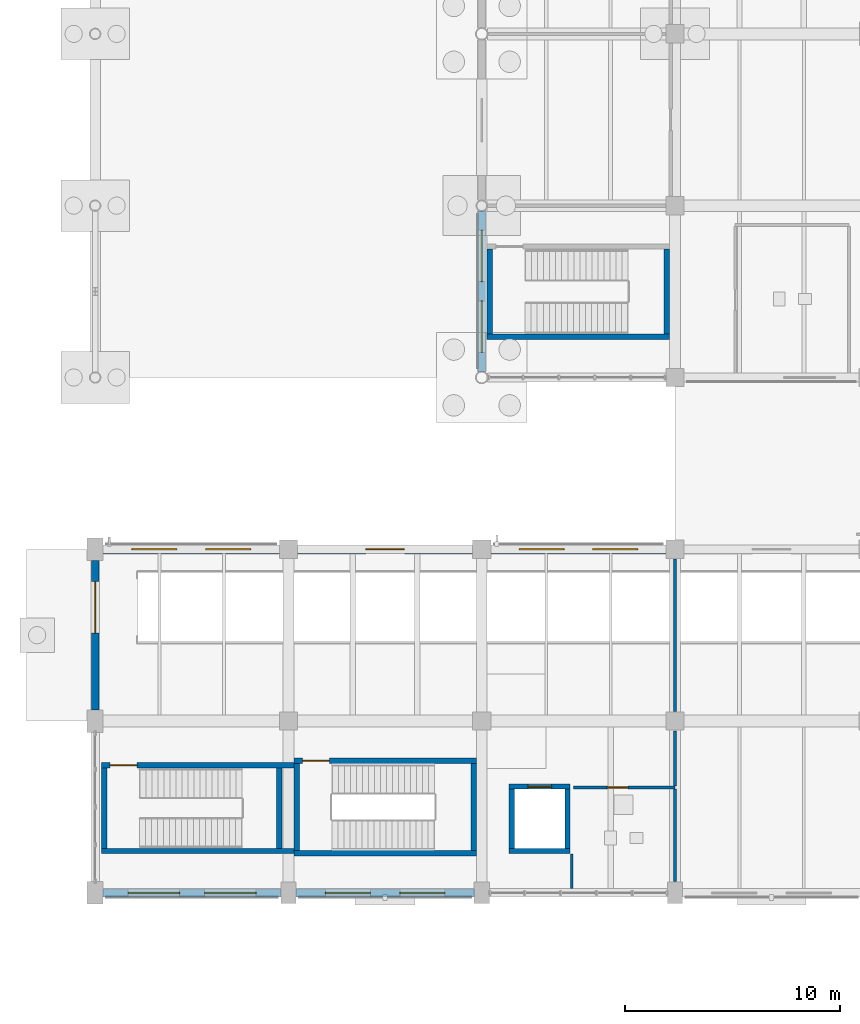
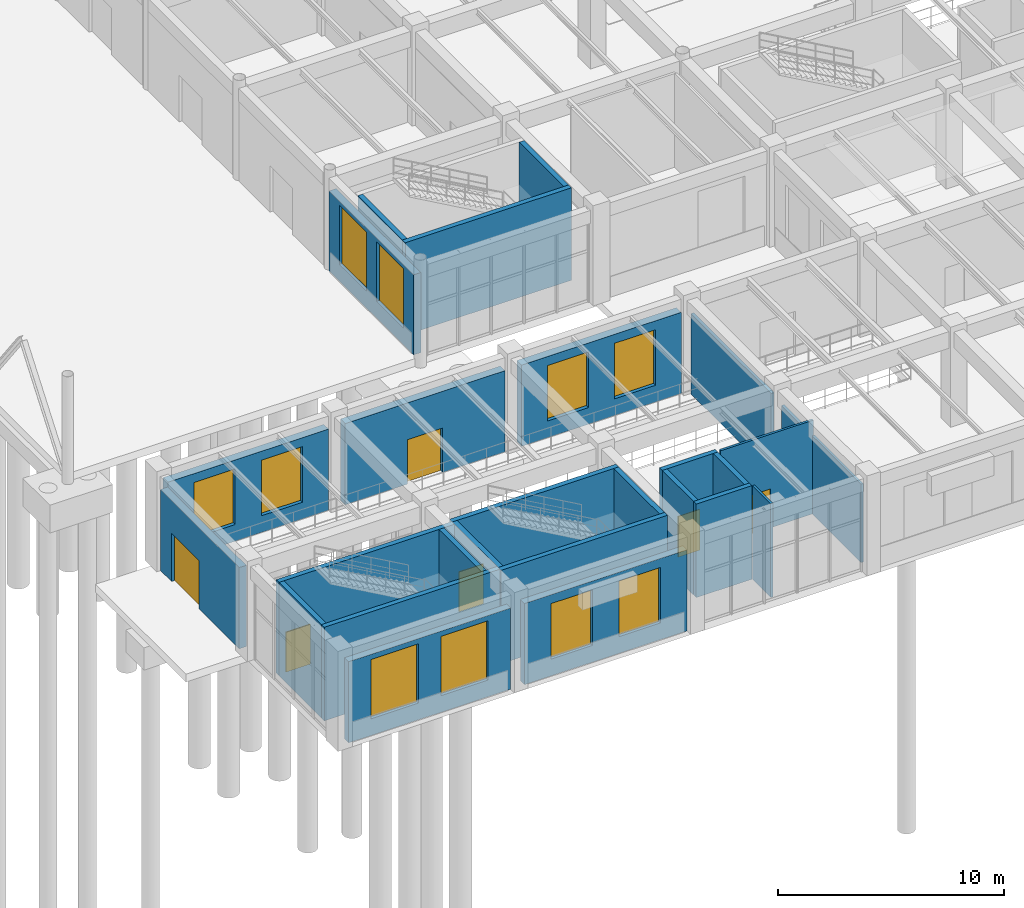
# One storey, part 88 of 121: 27 walls, 10 windows, 6 doors, 16 openings.
"""IFC4 building model written with IfcOpenShell, lengths in metres."""

from ifc_helpers import new_model, si_unit, derived_unit, direction, frame, frame_2d, origin, place, context, subcontext, project, spatial, rectangle, extrude, material, layer, layer_set, type_object, element, fill, save


model = new_model("IFC4")

# Units and contexts
model_context = context("Model", 3, precision=1e-05, world=origin(), true_north=direction((0.0, 1.0)))
body_context = subcontext(model_context, "Body", "Model", "MODEL_VIEW")
ifc_project = project(units=[si_unit("LENGTHUNIT", "METRE"), si_unit("AREAUNIT", "SQUARE_METRE"), si_unit("VOLUMEUNIT", "CUBIC_METRE"), si_unit("PLANEANGLEUNIT", "RADIAN"), si_unit("MASSUNIT", "GRAM", prefix="KILO"), derived_unit("THERMALTRANSMITTANCEUNIT", [(si_unit("MASSUNIT", "GRAM", prefix="KILO"), 1), (si_unit("TIMEUNIT", "SECOND"), -3), (si_unit("THERMODYNAMICTEMPERATUREUNIT", "KELVIN"), -1)])], contexts=[model_context])

# Site, building, storey
site_placement = place(None, origin())
site = spatial("IfcSite", under=ifc_project, at=site_placement, CompositionType="ELEMENT")
building_placement = place(site_placement, origin())
building = spatial("IfcBuilding", under=site, at=building_placement, Name="Zhenchuan Archway Interchange", CompositionType="ELEMENT")
storey_placement = place(building_placement, origin())
storey = spatial("IfcBuildingStorey", under=building, at=storey_placement, Name="L00", CompositionType="ELEMENT", Elevation=0.0)

# Wall, openings, windows
ifc_material_1 = material(Name="Granite Stone Cladding", Category="masonry")
ifc_layer_1 = layer(ifc_material_1, 0.419921875)
ifc_layer_set_1 = layer_set([ifc_layer_1], Name="Granite Stone Cladding")
wall_type_1 = type_object("IfcWallType", Name="EW_GRANITE_420", PredefinedType="STANDARD", material=ifc_layer_set_1)
wall_1_placement = place(storey_placement, frame((0.373046875, 16.0, 0.0), z_axis=(0.0, 0.0, 1.0), x_axis=(1.0, 0.0, 0.0)))
wall_1 = element("IfcWall", 1, at=wall_1_placement, inside=storey, type_object=wall_type_1, Name="Exterior wall L00-053", PredefinedType="STANDARD", context=body_context, shape_type="SweptSolid", body=[
    extrude(rectangle(XDim=8.203857421875, YDim=0.419921875, at=frame_2d((4.10205078125, 0.0))), origin(), (0.0, 0.0, 1.0), 4.3798828125),
])
opening_1_placement = place(wall_1_placement, frame((1.334716796875, 0.0, 0.89990234375)))
opening_1 = element("IfcOpeningElement", 2, at=opening_1_placement, cuts=wall_1, Name="Opening W-02", PredefinedType="OPENING", context=body_context, shape_type="SweptSolid", body=[
    extrude(rectangle(XDim=2.10009765625, YDim=3.0, at=frame_2d((1.050048828125, 1.5))), frame((0.0, 0.221923828125, 0.0), z_axis=(0.0, -1.0, 0.0), x_axis=(1.0, 0.0, 0.0)), (0.0, 0.0, 1.0), 0.44384765625),
])
opening_2_placement = place(wall_1_placement, frame((4.769287109375, 0.0, 0.89990234375)))
opening_2 = element("IfcOpeningElement", 3, at=opening_2_placement, cuts=wall_1, Name="Opening W-02", PredefinedType="OPENING", context=body_context, shape_type="SweptSolid", body=[
    extrude(rectangle(XDim=2.10009765625, YDim=3.0, at=frame_2d((1.050048828125, 1.5))), frame((0.0, 0.221923828125, 0.0), z_axis=(0.0, -1.0, 0.0), x_axis=(1.0, 0.0, 0.0)), (0.0, 0.0, 1.0), 0.44384765625),
])
ifc_material_2 = material(Name="Double Low-E Insulated Glazing", Category="glass")
window_type_1 = type_object("IfcWindowType", Name="WN_ARCH_2100x3000", PartitioningType="SINGLE_PANEL", PredefinedType="WINDOW", material=ifc_material_2)
window_1_placement = place(opening_1_placement, origin())
window_1 = element("IfcWindow", 4, at=window_1_placement, inside=storey, type_object=window_type_1, Name="Window L00-0037", OverallHeight=3.0, OverallWidth=2.10009765625, PartitioningType="SINGLE_PANEL", PredefinedType="WINDOW", context=body_context, shape_type="SweptSolid", body=[
    extrude(rectangle(XDim=2.10009765625, YDim=3.0, at=frame_2d((1.050048828125, 1.5))), frame((0.0, 0.030029296875, 0.0), z_axis=(0.0, -1.0, 0.0), x_axis=(1.0, 0.0, 0.0)), (0.0, 0.0, 1.0), 0.06005859375),
])
fill(opening_1, window_1)
window_2_placement = place(opening_2_placement, origin())
window_2 = element("IfcWindow", 5, at=window_2_placement, inside=storey, type_object=window_type_1, Name="Window L00-0038", OverallHeight=3.0, OverallWidth=2.10009765625, PartitioningType="SINGLE_PANEL", PredefinedType="WINDOW", context=body_context, shape_type="SweptSolid", body=[
    extrude(rectangle(XDim=2.10009765625, YDim=3.0, at=frame_2d((1.050048828125, 1.5))), frame((0.0, 0.030029296875, 0.0), z_axis=(0.0, -1.0, 0.0), x_axis=(1.0, 0.0, 0.0)), (0.0, 0.0, 1.0), 0.06005859375),
])
fill(opening_2, window_2)

# Wall, opening, door
wall_2_placement = place(storey_placement, frame((9.423095703125, 16.0, 0.0), z_axis=(0.0, 0.0, 1.0), x_axis=(1.0, 0.0, 0.0)))
wall_2 = element("IfcWall", 6, at=wall_2_placement, inside=storey, type_object=wall_type_1, Name="Exterior wall L00-054", PredefinedType="STANDARD", context=body_context, shape_type="SweptSolid", body=[
    extrude(rectangle(XDim=8.15380859375, YDim=0.419921875, at=frame_2d((4.076904296875, 0.0))), origin(), (0.0, 0.0, 1.0), 4.3798828125),
])
opening_3_placement = place(wall_2_placement, frame((3.177001953125, 0.0, 0.0)))
opening_3 = element("IfcOpeningElement", 7, at=opening_3_placement, cuts=wall_2, Name="Opening ED-04", PredefinedType="OPENING", context=body_context, shape_type="SweptSolid", body=[
    extrude(rectangle(XDim=1.800048828125, YDim=2.39990234375, at=frame_2d((0.89990234375, 1.199951171875))), frame((0.0, 0.221923828125, 0.0), z_axis=(0.0, -1.0, 0.0), x_axis=(1.0, 0.0, 0.0)), (0.0, 0.0, 1.0), 0.44384765625),
])
ifc_material_3 = material(Name="Anodised Aluminium", Category="aluminium")
door_type_1 = type_object("IfcDoorType", Name="ED_ENT_1800x2400", OperationType="DOUBLE_DOOR_SINGLE_SWING", PredefinedType="DOOR", material=ifc_material_3)
door_1_placement = place(opening_3_placement, origin())
door_1 = element("IfcDoor", 8, at=door_1_placement, inside=storey, type_object=door_type_1, Name="Exterior entrance door L00-023", OperationType="SINGLE_SWING_LEFT", OverallHeight=2.39990234375, OverallWidth=1.800048828125, PredefinedType="DOOR", context=body_context, shape_type="SweptSolid", body=[
    extrude(rectangle(XDim=1.800048828125, YDim=2.39990234375, at=frame_2d((0.89990234375, 1.199951171875))), frame((0.0, 0.02490234375, 0.0), z_axis=(0.0, -1.0, 0.0), x_axis=(1.0, 0.0, 0.0)), (0.0, 0.0, 1.0), 0.050048828125),
])
fill(opening_3, door_1)

# Wall, openings, windows
wall_3_placement = place(storey_placement, frame((18.423095703125, 16.0, 0.0), z_axis=(0.0, 0.0, 1.0), x_axis=(1.0, 0.0, 0.0)))
wall_3 = element("IfcWall", 9, at=wall_3_placement, inside=storey, type_object=wall_type_1, Name="Exterior wall L00-055", PredefinedType="STANDARD", context=body_context, shape_type="SweptSolid", body=[
    extrude(rectangle(XDim=8.15380859375, YDim=0.419921875, at=frame_2d((4.076904296875, 0.0))), origin(), (0.0, 0.0, 1.0), 4.3798828125),
])
opening_4_placement = place(wall_3_placement, frame((1.318115234375, 0.0, 0.89990234375)))
opening_4 = element("IfcOpeningElement", 10, at=opening_4_placement, cuts=wall_3, Name="Opening W-02", PredefinedType="OPENING", context=body_context, shape_type="SweptSolid", body=[
    extrude(rectangle(XDim=2.10009765625, YDim=3.0, at=frame_2d((1.050048828125, 1.5))), frame((0.0, 0.221923828125, 0.0), z_axis=(0.0, -1.0, 0.0), x_axis=(1.0, 0.0, 0.0)), (0.0, 0.0, 1.0), 0.44384765625),
])
opening_5_placement = place(wall_3_placement, frame((4.736083984375, 0.0, 0.89990234375)))
opening_5 = element("IfcOpeningElement", 11, at=opening_5_placement, cuts=wall_3, Name="Opening W-02", PredefinedType="OPENING", context=body_context, shape_type="SweptSolid", body=[
    extrude(rectangle(XDim=2.10009765625, YDim=3.0, at=frame_2d((1.050048828125, 1.5))), frame((0.0, 0.221923828125, 0.0), z_axis=(0.0, -1.0, 0.0), x_axis=(1.0, 0.0, 0.0)), (0.0, 0.0, 1.0), 0.44384765625),
])
window_3_placement = place(opening_4_placement, origin())
window_3 = element("IfcWindow", 12, at=window_3_placement, inside=storey, type_object=window_type_1, Name="Window L00-0039", OverallHeight=3.0, OverallWidth=2.10009765625, PartitioningType="SINGLE_PANEL", PredefinedType="WINDOW", context=body_context, shape_type="SweptSolid", body=[
    extrude(rectangle(XDim=2.10009765625, YDim=3.0, at=frame_2d((1.050048828125, 1.5))), frame((0.0, 0.030029296875, 0.0), z_axis=(0.0, -1.0, 0.0), x_axis=(1.0, 0.0, 0.0)), (0.0, 0.0, 1.0), 0.06005859375),
])
fill(opening_4, window_3)
window_4_placement = place(opening_5_placement, origin())
window_4 = element("IfcWindow", 13, at=window_4_placement, inside=storey, type_object=window_type_1, Name="Window L00-0040", OverallHeight=3.0, OverallWidth=2.10009765625, PartitioningType="SINGLE_PANEL", PredefinedType="WINDOW", context=body_context, shape_type="SweptSolid", body=[
    extrude(rectangle(XDim=2.10009765625, YDim=3.0, at=frame_2d((1.050048828125, 1.5))), frame((0.0, 0.030029296875, 0.0), z_axis=(0.0, -1.0, 0.0), x_axis=(1.0, 0.0, 0.0)), (0.0, 0.0, 1.0), 0.06005859375),
])
fill(opening_5, window_4)

ifc_material_4 = material(Name="Terracotta Masonry", Category="masonry")
ifc_layer_2 = layer(ifc_material_4, 0.360107421875)
ifc_layer_set_2 = layer_set([ifc_layer_2], Name="Terracotta Masonry")
wall_type_2 = type_object("IfcWallType", Name="EW_TERRA_360", PredefinedType="STANDARD", material=ifc_layer_set_2)
wall_4_placement = place(storey_placement, frame((18.0, 24.276611328125, 0.0), z_axis=(0.0, 0.0, 1.0), x_axis=(0.0, 1.0, 0.0)))
wall_4 = element("IfcWall", 14, at=wall_4_placement, inside=storey, type_object=wall_type_2, Name="Exterior wall L00-004", PredefinedType="STANDARD", context=body_context, shape_type="SweptSolid", body=[
    extrude(rectangle(XDim=7.472412109375, YDim=0.360107421875, at=frame_2d((3.736328125, 0.0))), origin(), (0.0, 0.0, 1.0), 4.320068359375),
])
opening_6_placement = place(wall_4_placement, frame((0.890869140625, 0.0, 0.89990234375)))
opening_6 = element("IfcOpeningElement", 15, at=opening_6_placement, cuts=wall_4, Name="Opening W-01", PredefinedType="OPENING", context=body_context, shape_type="SweptSolid", body=[
    extrude(rectangle(XDim=2.39990234375, YDim=3.199951171875, at=frame_2d((1.199951171875, 1.60009765625))), frame((0.0, 0.19189453125, 0.0), z_axis=(0.0, -1.0, 0.0), x_axis=(1.0, 0.0, 0.0)), (0.0, 0.0, 1.0), 0.384033203125),
])
opening_7_placement = place(wall_4_placement, frame((4.181640625, 0.0, 0.89990234375)))
opening_7 = element("IfcOpeningElement", 16, at=opening_7_placement, cuts=wall_4, Name="Opening W-01", PredefinedType="OPENING", context=body_context, shape_type="SweptSolid", body=[
    extrude(rectangle(XDim=2.39990234375, YDim=3.199951171875, at=frame_2d((1.199951171875, 1.60009765625))), frame((0.0, 0.19189453125, 0.0), z_axis=(0.0, -1.0, 0.0), x_axis=(1.0, 0.0, 0.0)), (0.0, 0.0, 1.0), 0.384033203125),
])
window_type_2 = type_object("IfcWindowType", Name="WN_ARCH_2400x3200", PartitioningType="SINGLE_PANEL", PredefinedType="WINDOW", material=ifc_material_2)
window_5_placement = place(opening_6_placement, origin())
window_5 = element("IfcWindow", 17, at=window_5_placement, inside=storey, type_object=window_type_2, Name="Window L00-0004", OverallHeight=3.199951171875, OverallWidth=2.39990234375, PartitioningType="SINGLE_PANEL", PredefinedType="WINDOW", context=body_context, shape_type="SweptSolid", body=[
    extrude(rectangle(XDim=2.39990234375, YDim=3.199951171875, at=frame_2d((1.199951171875, 1.60009765625))), frame((0.0, 0.030029296875, 0.0), z_axis=(0.0, -1.0, 0.0), x_axis=(1.0, 0.0, 0.0)), (0.0, 0.0, 1.0), 0.06005859375),
])
fill(opening_6, window_5)
window_6_placement = place(opening_7_placement, origin())
window_6 = element("IfcWindow", 18, at=window_6_placement, inside=storey, type_object=window_type_2, Name="Window L00-0005", OverallHeight=3.199951171875, OverallWidth=2.39990234375, PartitioningType="SINGLE_PANEL", PredefinedType="WINDOW", context=body_context, shape_type="SweptSolid", body=[
    extrude(rectangle(XDim=2.39990234375, YDim=3.199951171875, at=frame_2d((1.199951171875, 1.60009765625))), frame((0.0, 0.030029296875, 0.0), z_axis=(0.0, -1.0, 0.0), x_axis=(1.0, 0.0, 0.0)), (0.0, 0.0, 1.0), 0.06005859375),
])
fill(opening_7, window_6)

wall_5_placement = place(storey_placement, frame((17.652099609375, 0.0, 0.0), z_axis=(0.0, 0.0, 1.0), x_axis=(-1.0, 0.0, 0.0)))
wall_5 = element("IfcWall", 19, at=wall_5_placement, inside=storey, type_object=wall_type_2, Name="Exterior wall L00-049", PredefinedType="STANDARD", context=body_context, shape_type="SweptSolid", body=[
    extrude(rectangle(XDim=8.30419921875, YDim=0.360107421875, at=frame_2d((4.152099609375, 0.0))), origin(), (0.0, 0.0, 1.0), 4.3798828125),
])
opening_8_placement = place(wall_5_placement, frame((1.367919921875, 0.0, 0.89990234375)))
opening_8 = element("IfcOpeningElement", 20, at=opening_8_placement, cuts=wall_5, Name="Opening W-02", PredefinedType="OPENING", context=body_context, shape_type="SweptSolid", body=[
    extrude(rectangle(XDim=2.10009765625, YDim=3.0, at=frame_2d((1.050048828125, 1.5))), frame((0.0, 0.19189453125, 0.0), z_axis=(0.0, -1.0, 0.0), x_axis=(1.0, 0.0, 0.0)), (0.0, 0.0, 1.0), 0.384033203125),
])
opening_9_placement = place(wall_5_placement, frame((4.8359375, 0.0, 0.89990234375)))
opening_9 = element("IfcOpeningElement", 21, at=opening_9_placement, cuts=wall_5, Name="Opening W-02", PredefinedType="OPENING", context=body_context, shape_type="SweptSolid", body=[
    extrude(rectangle(XDim=2.10009765625, YDim=3.0, at=frame_2d((1.050048828125, 1.5))), frame((0.0, 0.19189453125, 0.0), z_axis=(0.0, -1.0, 0.0), x_axis=(1.0, 0.0, 0.0)), (0.0, 0.0, 1.0), 0.384033203125),
])
window_7_placement = place(opening_8_placement, origin())
window_7 = element("IfcWindow", 22, at=window_7_placement, inside=storey, type_object=window_type_1, Name="Window L00-0033", OverallHeight=3.0, OverallWidth=2.10009765625, PartitioningType="SINGLE_PANEL", PredefinedType="WINDOW", context=body_context, shape_type="SweptSolid", body=[
    extrude(rectangle(XDim=2.10009765625, YDim=3.0, at=frame_2d((1.050048828125, 1.5))), frame((0.0, 0.030029296875, 0.0), z_axis=(0.0, -1.0, 0.0), x_axis=(1.0, 0.0, 0.0)), (0.0, 0.0, 1.0), 0.06005859375),
])
fill(opening_8, window_7)
window_8_placement = place(opening_9_placement, origin())
window_8 = element("IfcWindow", 23, at=window_8_placement, inside=storey, type_object=window_type_1, Name="Window L00-0034", OverallHeight=3.0, OverallWidth=2.10009765625, PartitioningType="SINGLE_PANEL", PredefinedType="WINDOW", context=body_context, shape_type="SweptSolid", body=[
    extrude(rectangle(XDim=2.10009765625, YDim=3.0, at=frame_2d((1.050048828125, 1.5))), frame((0.0, 0.030029296875, 0.0), z_axis=(0.0, -1.0, 0.0), x_axis=(1.0, 0.0, 0.0)), (0.0, 0.0, 1.0), 0.06005859375),
])
fill(opening_9, window_8)

wall_6_placement = place(storey_placement, frame((8.652099609375, 0.0, 0.0), z_axis=(0.0, 0.0, 1.0), x_axis=(-1.0, 0.0, 0.0)))
wall_6 = element("IfcWall", 24, at=wall_6_placement, inside=storey, type_object=wall_type_2, Name="Exterior wall L00-050", PredefinedType="STANDARD", context=body_context, shape_type="SweptSolid", body=[
    extrude(rectangle(XDim=8.279052734375, YDim=0.360107421875, at=frame_2d((4.1396484375, 0.0))), origin(), (0.0, 0.0, 1.0), 4.3798828125),
])
opening_10_placement = place(wall_6_placement, frame((1.15966796875, 0.0, 0.89990234375)))
opening_10 = element("IfcOpeningElement", 25, at=opening_10_placement, cuts=wall_6, Name="Opening W-01", PredefinedType="OPENING", context=body_context, shape_type="SweptSolid", body=[
    extrude(rectangle(XDim=2.39990234375, YDim=3.199951171875, at=frame_2d((1.199951171875, 1.60009765625))), frame((0.0, 0.19189453125, 0.0), z_axis=(0.0, -1.0, 0.0), x_axis=(1.0, 0.0, 0.0)), (0.0, 0.0, 1.0), 0.384033203125),
])
opening_11_placement = place(wall_6_placement, frame((4.71923828125, 0.0, 0.89990234375)))
opening_11 = element("IfcOpeningElement", 26, at=opening_11_placement, cuts=wall_6, Name="Opening W-01", PredefinedType="OPENING", context=body_context, shape_type="SweptSolid", body=[
    extrude(rectangle(XDim=2.39990234375, YDim=3.199951171875, at=frame_2d((1.199951171875, 1.60009765625))), frame((0.0, 0.19189453125, 0.0), z_axis=(0.0, -1.0, 0.0), x_axis=(1.0, 0.0, 0.0)), (0.0, 0.0, 1.0), 0.384033203125),
])
window_9_placement = place(opening_10_placement, origin())
window_9 = element("IfcWindow", 27, at=window_9_placement, inside=storey, type_object=window_type_2, Name="Window L00-0035", OverallHeight=3.199951171875, OverallWidth=2.39990234375, PartitioningType="SINGLE_PANEL", PredefinedType="WINDOW", context=body_context, shape_type="SweptSolid", body=[
    extrude(rectangle(XDim=2.39990234375, YDim=3.199951171875, at=frame_2d((1.199951171875, 1.60009765625))), frame((0.0, 0.030029296875, 0.0), z_axis=(0.0, -1.0, 0.0), x_axis=(1.0, 0.0, 0.0)), (0.0, 0.0, 1.0), 0.06005859375),
])
fill(opening_10, window_9)
window_10_placement = place(opening_11_placement, origin())
window_10 = element("IfcWindow", 28, at=window_10_placement, inside=storey, type_object=window_type_2, Name="Window L00-0036", OverallHeight=3.199951171875, OverallWidth=2.39990234375, PartitioningType="SINGLE_PANEL", PredefinedType="WINDOW", context=body_context, shape_type="SweptSolid", body=[
    extrude(rectangle(XDim=2.39990234375, YDim=3.199951171875, at=frame_2d((1.199951171875, 1.60009765625))), frame((0.0, 0.030029296875, 0.0), z_axis=(0.0, -1.0, 0.0), x_axis=(1.0, 0.0, 0.0)), (0.0, 0.0, 1.0), 0.06005859375),
])
fill(opening_11, window_10)

# Wall, opening, door
wall_7_placement = place(storey_placement, frame((0.0, 8.52294921875, 0.0), z_axis=(0.0, 0.0, 1.0), x_axis=(0.0, 1.0, 0.0)))
wall_7 = element("IfcWall", 29, at=wall_7_placement, inside=storey, type_object=wall_type_2, Name="Exterior wall L00-052", PredefinedType="STANDARD", context=body_context, shape_type="SweptSolid", body=[
    extrude(rectangle(XDim=6.9541015625, YDim=0.360107421875, at=frame_2d((3.47705078125, 0.0))), origin(), (0.0, 0.0, 1.0), 4.3798828125),
])
opening_12_placement = place(wall_7_placement, frame((3.576904296875, 0.0, 0.0)))
opening_12 = element("IfcOpeningElement", 30, at=opening_12_placement, cuts=wall_7, Name="Opening CG-01", PredefinedType="OPENING", context=body_context, shape_type="SweptSolid", body=[
    extrude(rectangle(XDim=2.39990234375, YDim=2.60009765625, at=frame_2d((1.199951171875, 1.300048828125))), frame((0.0, 0.19189453125, 0.0), z_axis=(0.0, -1.0, 0.0), x_axis=(1.0, 0.0, 0.0)), (0.0, 0.0, 1.0), 0.384033203125),
])
ifc_material_5 = material(Name="Painted Galvanised Steel", Category="steel")
door_type_2 = type_object("IfcDoorType", Name="CG_GATE_2400x2600", OperationType="DOUBLE_DOOR_SINGLE_SWING", PredefinedType="GATE", material=ifc_material_5)
door_2_placement = place(opening_12_placement, origin())
door_2 = element("IfcDoor", 31, at=door_2_placement, inside=storey, type_object=door_type_2, Name="Exterior entrance door L00-022", OperationType="SINGLE_SWING_LEFT", OverallHeight=2.60009765625, OverallWidth=2.39990234375, PredefinedType="GATE", context=body_context, shape_type="SweptSolid", body=[
    extrude(rectangle(XDim=2.39990234375, YDim=2.60009765625, at=frame_2d((1.199951171875, 1.300048828125))), frame((0.0, 0.02490234375, 0.0), z_axis=(0.0, -1.0, 0.0), x_axis=(1.0, 0.0, 0.0)), (0.0, 0.0, 1.0), 0.050048828125),
])
fill(opening_12, door_2)

# Wall
ifc_material_6 = material(Name="Concrete C40", Category="concrete")
ifc_layer_3 = layer(ifc_material_6, 0.239990234375)
ifc_layer_set_3 = layer_set([ifc_layer_3], Name="Concrete C40")
wall_type_3 = type_object("IfcWallType", Name="WL_LIFT_240", PredefinedType="SHEAR", material=ifc_layer_set_3)
wall_8_placement = place(storey_placement, frame((19.280029296875, 1.949951171875, 0.0), z_axis=(0.0, 0.0, 1.0), x_axis=(1.0, 0.0, 0.0)))
element("IfcWall", 32, at=wall_8_placement, inside=storey, type_object=wall_type_3, Name="Lift LF-03 south shaft wall (L00)", PredefinedType="SHEAR", context=body_context, shape_type="SweptSolid", body=[
    extrude(rectangle(XDim=2.840087890625, YDim=0.239990234375, at=frame_2d((1.419921875, 0.0))), origin(), (0.0, 0.0, 1.0), 5.050048828125),
])

# Wall, opening, door
wall_9_placement = place(storey_placement, frame((22.1201171875, 4.949951171875, 0.0), z_axis=(0.0, 0.0, 1.0), x_axis=(-1.0, 0.0, 0.0)))
wall_9 = element("IfcWall", 33, at=wall_9_placement, inside=storey, type_object=wall_type_3, Name="Lift LF-03 north shaft wall (L00)", PredefinedType="SHEAR", context=body_context, shape_type="SweptSolid", body=[
    extrude(rectangle(XDim=2.840087890625, YDim=0.239990234375, at=frame_2d((1.419921875, 0.0))), origin(), (0.0, 0.0, 1.0), 5.050048828125),
])
opening_13_placement = place(wall_9_placement, frame((0.8701171875, 0.0, 0.0)))
opening_13 = element("IfcOpeningElement", 34, at=opening_13_placement, cuts=wall_9, Name="Opening LD-01", PredefinedType="OPENING", context=body_context, shape_type="SweptSolid", body=[
    extrude(rectangle(XDim=1.10009765625, YDim=2.199951171875, at=frame_2d((0.550048828125, 1.10009765625))), frame((0.0, 0.1318359375, 0.0), z_axis=(0.0, -1.0, 0.0), x_axis=(1.0, 0.0, 0.0)), (0.0, 0.0, 1.0), 0.263916015625),
])
ifc_material_7 = material(Name="Stainless Steel 304", Category="steel")
door_type_3 = type_object("IfcDoorType", Name="DR_LIFT_LD110", OperationType="DOUBLE_DOOR_SLIDING", PredefinedType="DOOR", material=ifc_material_7)
door_3_placement = place(opening_13_placement, origin())
door_3 = element("IfcDoor", 35, at=door_3_placement, inside=storey, type_object=door_type_3, Name="Lift LF-03 landing door (L00)", OperationType="DOUBLE_DOOR_SLIDING", OverallHeight=2.199951171875, OverallWidth=1.10009765625, PredefinedType="DOOR", context=body_context, shape_type="SweptSolid", body=[
    extrude(rectangle(XDim=1.10009765625, YDim=2.199951171875, at=frame_2d((0.550048828125, 1.10009765625))), frame((0.0, 0.02490234375, 0.0), z_axis=(0.0, -1.0, 0.0), x_axis=(1.0, 0.0, 0.0)), (0.0, 0.0, 1.0), 0.050048828125),
])
fill(opening_13, door_3)

# Walls
for number, where, z_axis, x_axis, name in (
    (36, (19.39990234375, 4.830078125, 0.0), (0.0, 0.0, 1.0), (0.0, -1.0, 0.0), "Lift LF-03 west shaft wall (L00)"),
    (37, (22.0, 2.070068359375, 0.0), (0.0, 0.0, 1.0), (0.0, 1.0, 0.0), "Lift LF-03 east shaft wall (L00)"),
):
    element("IfcWall", number, at=place(storey_placement, frame(where, z_axis=z_axis, x_axis=x_axis)), inside=storey, type_object=wall_type_3, Name=name, PredefinedType="SHEAR", context=body_context, shape_type="SweptSolid", body=[
        extrude(rectangle(XDim=2.760009765625, YDim=0.239990234375, at=frame_2d((1.3798828125, 0.0))), origin(), (0.0, 0.0, 1.0), 5.050048828125),
    ])
ifc_material_8 = material(Name="Gypsum Plasterboard", Category="gypsum")
ifc_layer_4 = layer(ifc_material_8, 0.14990234375)
ifc_layer_set_4 = layer_set([ifc_layer_4], Name="Gypsum Plasterboard")
wall_type_4 = type_object("IfcWallType", Name="WL_PART_150", PredefinedType="STANDARD", material=ifc_layer_set_4)
wall_10_placement = place(storey_placement, frame((27.0, 4.989990234375, 0.0), z_axis=(0.0, 0.0, 1.0), x_axis=(0.0, 1.0, 0.0)))
element("IfcWall", 38, at=wall_10_placement, inside=storey, type_object=wall_type_4, Name="Cycle Repair and Servicing Workshop W partition (L00)", PredefinedType="STANDARD", context=body_context, shape_type="SweptSolid", body=[
    extrude(rectangle(XDim=2.56005859375, YDim=0.14990234375, at=frame_2d((1.280029296875, 0.0))), origin(), (0.0, 0.0, 1.0), 4.22998046875),
])
wall_11_placement = place(storey_placement, frame((27.0, 8.449951171875, 0.0), z_axis=(0.0, 0.0, 1.0), x_axis=(0.0, 1.0, 0.0)))
element("IfcWall", 39, at=wall_11_placement, inside=storey, type_object=wall_type_4, Name="Cycle Repair and Servicing Workshop W partition (L00)", PredefinedType="STANDARD", context=body_context, shape_type="SweptSolid", body=[
    extrude(rectangle(XDim=7.10009765625, YDim=0.14990234375, at=frame_2d((3.550048828125, 0.0))), origin(), (0.0, 0.0, 1.0), 4.330078125),
])
ifc_layer_5 = layer(ifc_material_6, 0.25)
ifc_layer_set_5 = layer_set([ifc_layer_5], Name="Concrete C40")
wall_type_5 = type_object("IfcWallType", Name="WL_STAIR_250", PredefinedType="SHEAR", material=ifc_layer_set_5)
wall_12_placement = place(storey_placement, frame((18.2548828125, 25.89990234375, 0.0), z_axis=(0.0, 0.0, 1.0), x_axis=(1.0, 0.0, 0.0)))
element("IfcWall", 40, at=wall_12_placement, inside=storey, type_object=wall_type_5, Name="Stair ST-B1 south wall (L00)", PredefinedType="SHEAR", context=body_context, shape_type="SweptSolid", body=[
    extrude(rectangle(XDim=8.490234375, YDim=0.25, at=frame_2d((4.2451171875, 0.0))), origin(), (0.0, 0.0, 1.0), 4.989990234375),
])
for number, where, z_axis, x_axis, name in (
    (41, (18.3798828125, 29.97509765625, 0.0), (0.0, 0.0, 1.0), (0.0, -1.0, 0.0), "Stair ST-B1 west wall (L00)"),
    (42, (26.6201171875, 26.02490234375, 0.0), (0.0, 0.0, 1.0), (0.0, 1.0, 0.0), "Stair ST-B1 east wall (L00)"),
):
    element("IfcWall", number, at=place(storey_placement, frame(where, z_axis=z_axis, x_axis=x_axis)), inside=storey, type_object=wall_type_5, Name=name, PredefinedType="SHEAR", context=body_context, shape_type="SweptSolid", body=[
        extrude(rectangle(XDim=3.9501953125, YDim=0.25, at=frame_2d((1.97509765625, 0.0))), origin(), (0.0, 0.0, 1.0), 4.989990234375),
    ])
wall_13_placement = place(storey_placement, frame((9.2548828125, 1.85009765625, 0.0), z_axis=(0.0, 0.0, 1.0), x_axis=(1.0, 0.0, 0.0)))
element("IfcWall", 43, at=wall_13_placement, inside=storey, type_object=wall_type_5, Name="Stair ST-C1 south wall (L00)", PredefinedType="SHEAR", context=body_context, shape_type="SweptSolid", body=[
    extrude(rectangle(XDim=8.490234375, YDim=0.25, at=frame_2d((4.2451171875, 0.0))), origin(), (0.0, 0.0, 1.0), 5.050048828125),
])

# Wall, opening, door
wall_14_placement = place(storey_placement, frame((17.7451171875, 6.14990234375, 0.0), z_axis=(0.0, 0.0, 1.0), x_axis=(-1.0, 0.0, 0.0)))
wall_14 = element("IfcWall", 44, at=wall_14_placement, inside=storey, type_object=wall_type_5, Name="Stair ST-C1 north wall (L00)", PredefinedType="SHEAR", context=body_context, shape_type="SweptSolid", body=[
    extrude(rectangle(XDim=8.490234375, YDim=0.25, at=frame_2d((4.2451171875, 0.0))), origin(), (0.0, 0.0, 1.0), 5.050048828125),
])
opening_14_placement = place(wall_14_placement, frame((6.8349609375, 0.0, 0.0)))
opening_14 = element("IfcOpeningElement", 45, at=opening_14_placement, cuts=wall_14, Name="Opening FD-01", PredefinedType="OPENING", context=body_context, shape_type="SweptSolid", body=[
    extrude(rectangle(XDim=1.25, YDim=2.14990234375, at=frame_2d((0.625, 1.074951171875))), frame((0.0, 0.136962890625, 0.0), z_axis=(0.0, -1.0, 0.0), x_axis=(1.0, 0.0, 0.0)), (0.0, 0.0, 1.0), 0.27392578125),
])
door_type_4 = type_object("IfcDoorType", Name="DR_STAIR_FD90", OperationType="NOTDEFINED", PredefinedType="DOOR", material=ifc_material_5)
door_4_placement = place(opening_14_placement, frame((1.25, 0.0, 0.0), z_axis=(0.0, 0.0, 1.0), x_axis=(-1.0, 0.0, 0.0)))
door_4 = element("IfcDoor", 46, at=door_4_placement, inside=storey, type_object=door_type_4, Name="Stair ST-C1 fire door (L00)", OperationType="SINGLE_SWING_LEFT", OverallHeight=2.14990234375, OverallWidth=1.25, PredefinedType="DOOR", context=body_context, shape_type="SweptSolid", body=[
    extrude(rectangle(XDim=1.25, YDim=2.14990234375, at=frame_2d((0.625, 1.074951171875))), frame((0.0, 0.02490234375, 0.0), z_axis=(0.0, -1.0, 0.0), x_axis=(1.0, 0.0, 0.0)), (0.0, 0.0, 1.0), 0.050048828125),
])
fill(opening_14, door_4)

# Walls
for number, where, z_axis, x_axis, name in (
    (47, (9.3798828125, 6.02490234375, 0.0), (0.0, 0.0, 1.0), (0.0, -1.0, 0.0), "Stair ST-C1 west wall (L00)"),
    (48, (17.6201171875, 1.97509765625, 0.0), (0.0, 0.0, 1.0), (0.0, 1.0, 0.0), "Stair ST-C1 east wall (L00)"),
):
    element("IfcWall", number, at=place(storey_placement, frame(where, z_axis=z_axis, x_axis=x_axis)), inside=storey, type_object=wall_type_5, Name=name, PredefinedType="SHEAR", context=body_context, shape_type="SweptSolid", body=[
        extrude(rectangle(XDim=4.0498046875, YDim=0.25, at=frame_2d((2.02490234375, 0.0))), origin(), (0.0, 0.0, 1.0), 5.050048828125),
    ])
wall_15_placement = place(storey_placement, frame((0.294921875, 1.949951171875, 0.0), z_axis=(0.0, 0.0, 1.0), x_axis=(1.0, 0.0, 0.0)))
element("IfcWall", 49, at=wall_15_placement, inside=storey, type_object=wall_type_5, Name="Stair ST-C2 south wall (L00)", PredefinedType="SHEAR", context=body_context, shape_type="SweptSolid", body=[
    extrude(rectangle(XDim=8.9599609375, YDim=0.25, at=frame_2d((4.47998046875, 0.0))), origin(), (0.0, 0.0, 1.0), 5.050048828125),
])

# Wall, opening, door
wall_16_placement = place(storey_placement, frame((9.2548828125, 5.949951171875, 0.0), z_axis=(0.0, 0.0, 1.0), x_axis=(-1.0, 0.0, 0.0)))
wall_16 = element("IfcWall", 50, at=wall_16_placement, inside=storey, type_object=wall_type_5, Name="Stair ST-C2 north wall (L00)", PredefinedType="SHEAR", context=body_context, shape_type="SweptSolid", body=[
    extrude(rectangle(XDim=8.9599609375, YDim=0.25, at=frame_2d((4.47998046875, 0.0))), origin(), (0.0, 0.0, 1.0), 5.050048828125),
])
opening_15_placement = place(wall_16_placement, frame((7.304931640625, 0.0, 0.0)))
opening_15 = element("IfcOpeningElement", 51, at=opening_15_placement, cuts=wall_16, Name="Opening FD-01", PredefinedType="OPENING", context=body_context, shape_type="SweptSolid", body=[
    extrude(rectangle(XDim=1.25, YDim=2.14990234375, at=frame_2d((0.625, 1.074951171875))), frame((0.0, 0.136962890625, 0.0), z_axis=(0.0, -1.0, 0.0), x_axis=(1.0, 0.0, 0.0)), (0.0, 0.0, 1.0), 0.27392578125),
])
door_5_placement = place(opening_15_placement, frame((1.25, 0.0, 0.0), z_axis=(0.0, 0.0, 1.0), x_axis=(-1.0, 0.0, 0.0)))
door_5 = element("IfcDoor", 52, at=door_5_placement, inside=storey, type_object=door_type_4, Name="Stair ST-C2 fire door (L00)", OperationType="SINGLE_SWING_RIGHT", OverallHeight=2.14990234375, OverallWidth=1.25, PredefinedType="DOOR", context=body_context, shape_type="SweptSolid", body=[
    extrude(rectangle(XDim=1.25, YDim=2.14990234375, at=frame_2d((0.625, 1.074951171875))), frame((0.0, 0.02490234375, 0.0), z_axis=(0.0, -1.0, 0.0), x_axis=(1.0, 0.0, 0.0)), (0.0, 0.0, 1.0), 0.050048828125),
])
fill(opening_15, door_5)

# Walls
for number, where, z_axis, x_axis, name in (
    (53, (0.419921875, 5.824951171875, 0.0), (0.0, 0.0, 1.0), (0.0, -1.0, 0.0), "Stair ST-C2 west wall (L00)"),
    (54, (8.580078125, 2.074951171875, 0.0), (0.0, 0.0, 1.0), (0.0, 1.0, 0.0), "Stair ST-C2 east wall (L00)"),
):
    element("IfcWall", number, at=place(storey_placement, frame(where, z_axis=z_axis, x_axis=x_axis)), inside=storey, type_object=wall_type_5, Name=name, PredefinedType="SHEAR", context=body_context, shape_type="SweptSolid", body=[
        extrude(rectangle(XDim=3.75, YDim=0.25, at=frame_2d((1.875, 0.0))), origin(), (0.0, 0.0, 1.0), 5.050048828125),
    ])

# Wall, opening, door
ifc_layer_6 = layer(ifc_material_8, 0.1201171875)
ifc_layer_set_6 = layer_set([ifc_layer_6], Name="Gypsum Plasterboard")
wall_type_6 = type_object("IfcWallType", Name="WL_WC_120", PredefinedType="STANDARD", material=ifc_layer_set_6)
wall_17_placement = place(storey_placement, frame((22.27001953125, 4.909912109375, 0.0), z_axis=(0.0, 0.0, 1.0), x_axis=(1.0, 0.0, 0.0)))
wall_17 = element("IfcWall", 55, at=wall_17_placement, inside=storey, type_object=wall_type_6, Name="Riders Shower and Changing Room N partition (L00)", PredefinedType="STANDARD", context=body_context, shape_type="SweptSolid", body=[
    extrude(rectangle(XDim=4.72998046875, YDim=0.1201171875, at=frame_2d((2.364990234375, 0.0))), origin(), (0.0, 0.0, 1.0), 5.050048828125),
])
opening_16_placement = place(wall_17_placement, frame((1.58203125, 0.0, 0.0)))
opening_16 = element("IfcOpeningElement", 56, at=opening_16_placement, cuts=wall_17, Name="Opening ID-03", PredefinedType="OPENING", context=body_context, shape_type="SweptSolid", body=[
    extrude(rectangle(XDim=0.949951171875, YDim=2.10009765625, at=frame_2d((0.47509765625, 1.050048828125))), frame((0.0, 0.072021484375, 0.0), z_axis=(0.0, -1.0, 0.0), x_axis=(1.0, 0.0, 0.0)), (0.0, 0.0, 1.0), 0.14404296875),
])
ifc_material_9 = material(Name="Hardwood Timber", Category="wood")
door_type_5 = type_object("IfcDoorType", Name="DR_WC_95", OperationType="NOTDEFINED", PredefinedType="DOOR", material=ifc_material_9)
door_6_placement = place(opening_16_placement, origin())
door_6 = element("IfcDoor", 57, at=door_6_placement, inside=storey, type_object=door_type_5, Name="Riders Shower and Changing Room door (L00)", OperationType="SINGLE_SWING_LEFT", OverallHeight=2.10009765625, OverallWidth=0.949951171875, PredefinedType="DOOR", context=body_context, shape_type="SweptSolid", body=[
    extrude(rectangle(XDim=0.949951171875, YDim=2.10009765625, at=frame_2d((0.47509765625, 1.050048828125))), frame((0.0, 0.02490234375, 0.0), z_axis=(0.0, -1.0, 0.0), x_axis=(1.0, 0.0, 0.0)), (0.0, 0.0, 1.0), 0.050048828125),
])
fill(opening_16, door_6)

# Walls
wall_18_placement = place(storey_placement, frame((22.199951171875, 0.199951171875, 0.0), z_axis=(0.0, 0.0, 1.0), x_axis=(0.0, 1.0, 0.0)))
element("IfcWall", 58, at=wall_18_placement, inside=storey, type_object=wall_type_6, Name="Riders Shower and Changing Room W partition (L00)", PredefinedType="STANDARD", context=body_context, shape_type="SweptSolid", body=[
    extrude(rectangle(XDim=1.6201171875, YDim=0.1201171875, at=frame_2d((0.81005859375, 0.0))), origin(), (0.0, 0.0, 1.0), 5.050048828125),
])
wall_19_placement = place(storey_placement, frame((27.0, 0.52490234375, 0.0), z_axis=(0.0, 0.0, 1.0), x_axis=(0.0, 1.0, 0.0)))
element("IfcWall", 59, at=wall_19_placement, inside=storey, type_object=wall_type_6, Name="Riders Shower and Changing Room E partition (L00)", PredefinedType="STANDARD", context=body_context, shape_type="SweptSolid", body=[
    extrude(rectangle(XDim=4.315185546875, YDim=0.1201171875, at=frame_2d((2.15771484375, 0.0))), origin(), (0.0, 0.0, 1.0), 4.22998046875),
])

save(model, "model.ifc")
